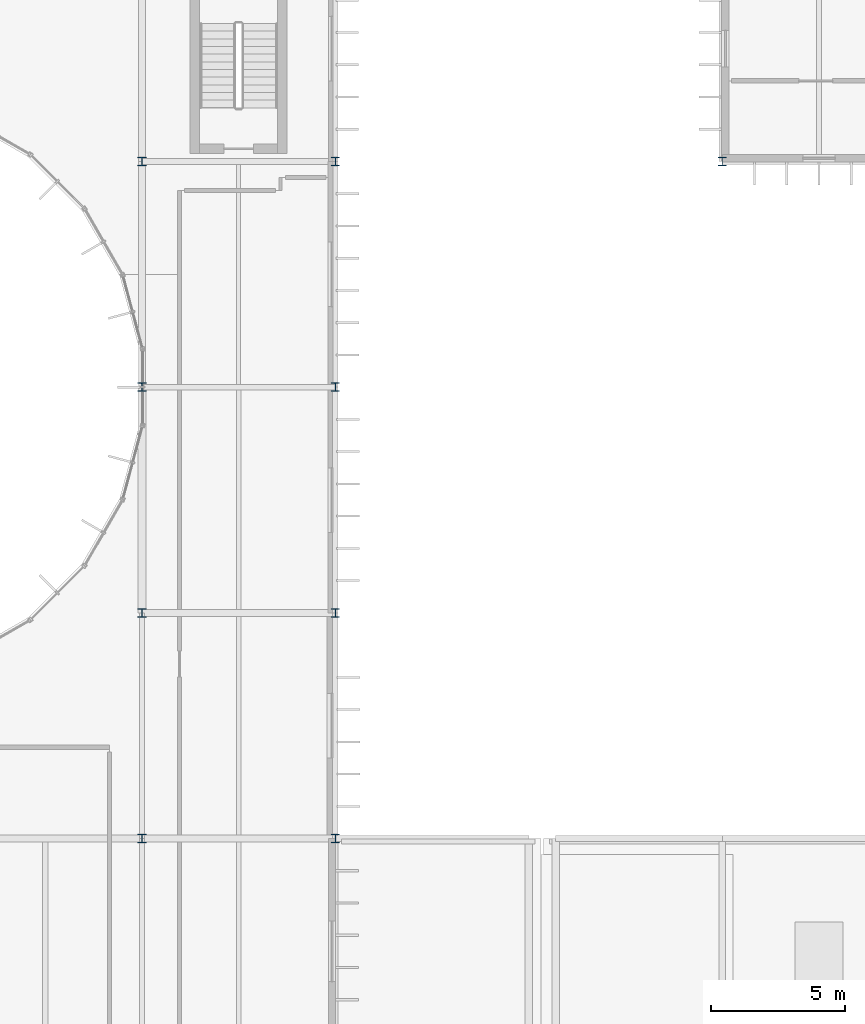
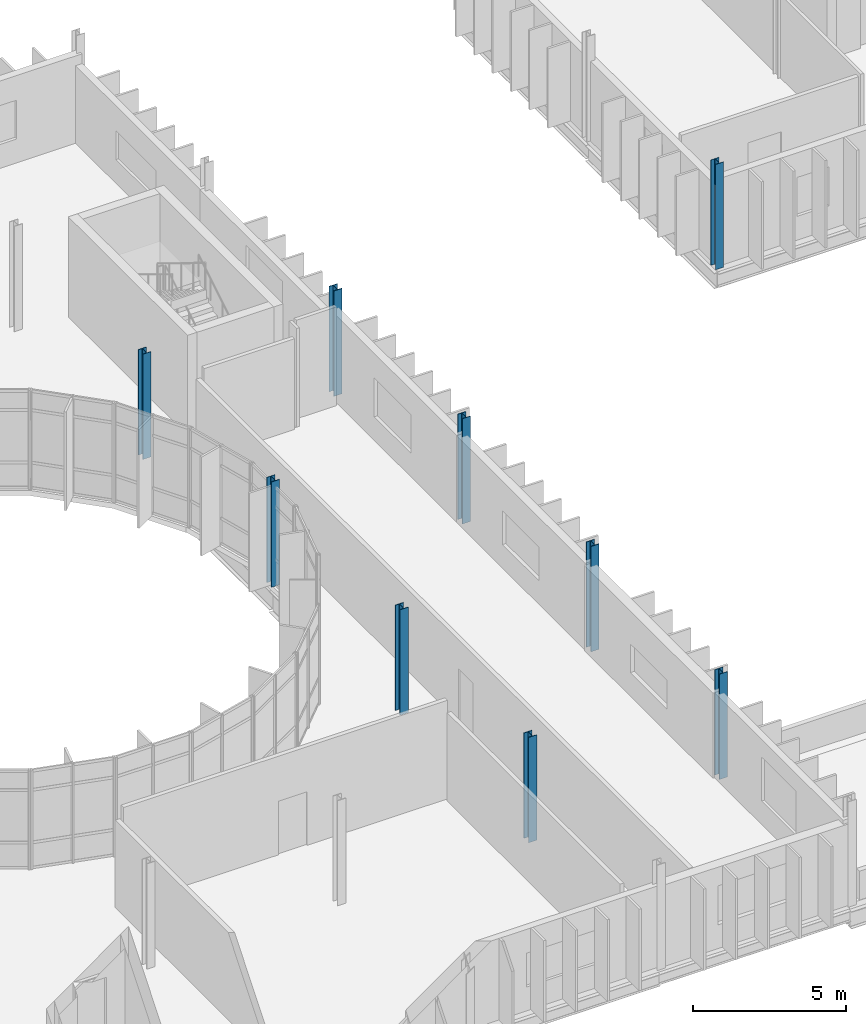
# One storey, part 7 of 61: 9 columns.
"""IFC4 building model written with IfcOpenShell, lengths in metres."""

from ifc_helpers import new_model, si_unit, direction, frame, origin, origin_2d, place, context, subcontext, project, spatial, i_section, extrude, material, material_profile, profile_set, type_object, element, save


model = new_model("IFC4")

# Units and contexts
model_context = context("Model", 3, precision=1e-05, world=origin(), true_north=direction((0.0, 1.0)))
body_context = subcontext(model_context, "Body", "Model", "MODEL_VIEW")
ifc_project = project(units=[si_unit("LENGTHUNIT", "METRE"), si_unit("AREAUNIT", "SQUARE_METRE"), si_unit("VOLUMEUNIT", "CUBIC_METRE"), si_unit("PLANEANGLEUNIT", "RADIAN"), si_unit("MASSUNIT", "GRAM", prefix="KILO")], contexts=[model_context])

# Site, building, storey
site_placement = place(None, origin())
site = spatial("IfcSite", under=ifc_project, at=site_placement, CompositionType="ELEMENT")
building_placement = place(site_placement, origin())
building = spatial("IfcBuilding", under=site, at=building_placement, Name="Qelthora Terrace Specialist Clinic", CompositionType="ELEMENT")
storey_placement = place(building_placement, frame((0.0, 0.0, 13.199951171875)))
storey = spatial("IfcBuildingStorey", under=building, at=storey_placement, Name="L03", CompositionType="ELEMENT", Elevation=13.199951171875)

# Columns
ifc_material = material(Name="Steel S355", Category="steel")
ifc_material_profile_1 = material_profile(ifc_material, i_section(OverallWidth=0.306884765625, OverallDepth=0.31396484375, WebThickness=0.011962890625, FlangeThickness=0.018798828125, FilletRadius=0.01611328125, at=origin_2d()), Name="W310X118")
ifc_profile_set_1 = profile_set([ifc_material_profile_1], Name="Steel S355")
column_type_1 = type_object("IfcColumnType", Name="COL-W310X118", PredefinedType="COLUMN", material=ifc_profile_set_1)
column_placement = place(storey_placement, frame((57.60009765625, 92.39990234375, 0.0), z_axis=(0.0, 0.0, 1.0), x_axis=(1.0, 0.0, 0.0)))
element("IfcColumn", 1, at=column_placement, inside=storey, type_object=column_type_1, Name="Column L03-111", PredefinedType="COLUMN", context=body_context, shape_type="SweptSolid", body=[
    extrude(i_section(OverallWidth=0.306884765625, OverallDepth=0.31396484375, WebThickness=0.011962890625, FlangeThickness=0.018798828125, FilletRadius=0.01611328125, at=origin_2d()), origin(), (0.0, 0.0, 1.0), 4.199951171875),
])
ifc_material_profile_2 = material_profile(ifc_material, i_section(OverallWidth=0.30810546875, OverallDepth=0.318115234375, WebThickness=0.01318359375, FlangeThickness=0.0205078125, FilletRadius=0.01611328125, at=origin_2d()), Name="W310X129")
ifc_profile_set_2 = profile_set([ifc_material_profile_2], Name="Steel S355")
column_type_2 = type_object("IfcColumnType", Name="COL-W310X129", PredefinedType="COLUMN", material=ifc_profile_set_2)
for number, where, z_axis, x_axis, name in (
    (2, (36.0, 67.199951171875, 0.0), (0.0, 0.0, 1.0), (1.0, 0.0, 0.0), "Column L03-073"),
    (3, (36.0, 84.0, 0.0), (0.0, 0.0, 1.0), (1.0, 0.0, 0.0), "Column L03-075"),
    (4, (43.199951171875, 67.199951171875, 0.0), (0.0, 0.0, 1.0), (1.0, 0.0, 0.0), "Column L03-087"),
    (5, (43.199951171875, 84.0, 0.0), (0.0, 0.0, 1.0), (1.0, 0.0, 0.0), "Column L03-089"),
):
    element("IfcColumn", number, at=place(storey_placement, frame(where, z_axis=z_axis, x_axis=x_axis)), inside=storey, type_object=column_type_2, Name=name, PredefinedType="COLUMN", context=body_context, shape_type="SweptSolid", body=[
        extrude(i_section(OverallWidth=0.30810546875, OverallDepth=0.318115234375, WebThickness=0.01318359375, FlangeThickness=0.0205078125, FilletRadius=0.01611328125, at=origin_2d()), origin(), (0.0, 0.0, 1.0), 4.199951171875),
    ])
ifc_material_profile_3 = material_profile(ifc_material, i_section(OverallWidth=0.30908203125, OverallDepth=0.322998046875, WebThickness=0.013916015625, FlangeThickness=0.02294921875, FilletRadius=0.01611328125, at=origin_2d()), Name="W310X143")
ifc_profile_set_3 = profile_set([ifc_material_profile_3], Name="Steel S355")
column_type_3 = type_object("IfcColumnType", Name="COL-W310X143", PredefinedType="COLUMN", material=ifc_profile_set_3)
for number, where, z_axis, x_axis, name in (
    (6, (36.0, 75.60009765625, 0.0), (0.0, 0.0, 1.0), (1.0, 0.0, 0.0), "Column L03-074"),
    (7, (36.0, 92.39990234375, 0.0), (0.0, 0.0, 1.0), (1.0, 0.0, 0.0), "Column L03-076"),
    (8, (43.199951171875, 75.60009765625, 0.0), (0.0, 0.0, 1.0), (1.0, 0.0, 0.0), "Column L03-088"),
    (9, (43.199951171875, 92.39990234375, 0.0), (0.0, 0.0, 1.0), (1.0, 0.0, 0.0), "Column L03-090"),
):
    element("IfcColumn", number, at=place(storey_placement, frame(where, z_axis=z_axis, x_axis=x_axis)), inside=storey, type_object=column_type_3, Name=name, PredefinedType="COLUMN", context=body_context, shape_type="SweptSolid", body=[
        extrude(i_section(OverallWidth=0.30908203125, OverallDepth=0.322998046875, WebThickness=0.013916015625, FlangeThickness=0.02294921875, FilletRadius=0.01611328125, at=origin_2d()), origin(), (0.0, 0.0, 1.0), 4.199951171875),
    ])

save(model, "model.ifc")
